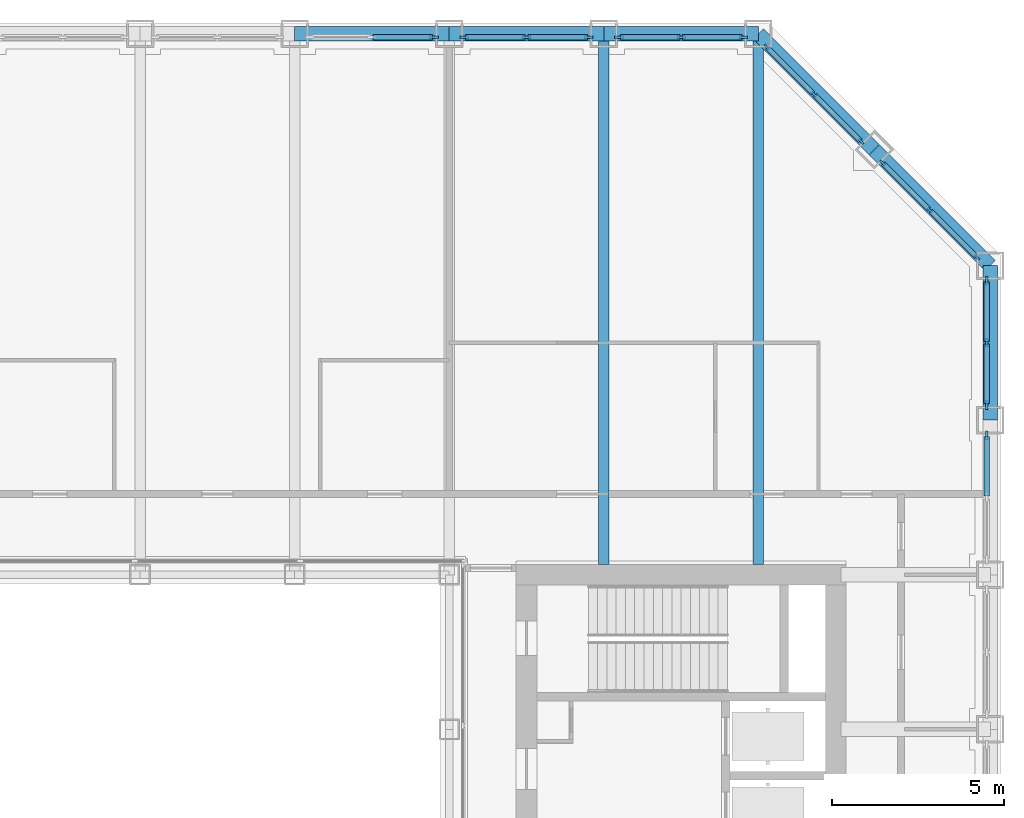
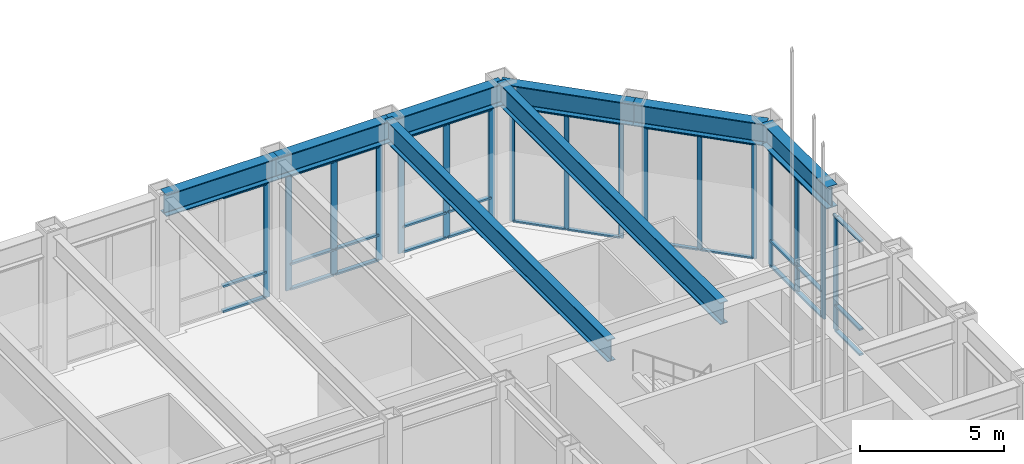
# One storey, part 9 of 22: 49 members, 8 beams, 7 elements without a shape of their own.
"""IFC4 building model written with IfcOpenShell, lengths in metres."""

from ifc_helpers import new_model, si_unit, direction, frame, origin, origin_2d, place, context, subcontext, project, spatial, rectangle, i_section, extrude, material, material_profile, profile_set, type_object, element, aggregate, save


model = new_model("IFC4")

# Units and contexts
model_context = context("Model", 3, precision=1e-05, world=origin(), true_north=direction((0.0, 1.0)))
body_context = subcontext(model_context, "Body", "Model", "MODEL_VIEW")
ifc_project = project(units=[si_unit("LENGTHUNIT", "METRE"), si_unit("AREAUNIT", "SQUARE_METRE"), si_unit("VOLUMEUNIT", "CUBIC_METRE"), si_unit("PLANEANGLEUNIT", "RADIAN"), si_unit("MASSUNIT", "GRAM", prefix="KILO")], contexts=[model_context])

# Site, building, storey
site_placement = place(None, origin())
site = spatial("IfcSite", under=ifc_project, at=site_placement, CompositionType="ELEMENT")
building_placement = place(site_placement, origin())
building = spatial("IfcBuilding", under=site, at=building_placement, Name="Msasa Ring Tower", CompositionType="ELEMENT")
storey_placement = place(building_placement, frame((0.0, 0.0, 112.39990234375)))
storey = spatial("IfcBuildingStorey", under=building, at=storey_placement, Name="L29", CompositionType="ELEMENT", Elevation=112.39990234375)

# Curtain wall, members
ifc_material_1 = material(Name="Aluminium curtain wall with clear glass", Category="aluminium")
curtain_wall_type_1 = type_object("IfcCurtainWallType", Name="CW-C CHAMFER CORNER CURTAIN WALL", PredefinedType="NOTDEFINED", material=ifc_material_1)
curtain_wall_1_placement = place(storey_placement, origin())
curtain_wall_1 = element("IfcCurtainWall", 1, at=curtain_wall_1_placement, inside=storey, type_object=curtain_wall_type_1, Name="Chamfer corner curtain wall NE L29", PredefinedType="NOTDEFINED")
ifc_material_2 = material(Name="Aluminium mullion", Category="aluminium")
ifc_material_profile_1 = material_profile(ifc_material_2, rectangle(XDim=0.06494140625, YDim=0.179931640625, at=origin_2d()), Name="AL 65x180")
ifc_profile_set_1 = profile_set([ifc_material_profile_1], Name="Aluminium mullion")
member_type_1 = type_object("IfcMemberType", Name="CW-C MULLION 65x180", PredefinedType="MULLION", material=ifc_profile_set_1)
member_1_placement = place(storey_placement, frame((18.744873046875, 19.36376953125, 0.0), z_axis=(0.0, 0.0, 1.0), x_axis=(-0.707106781187, -0.707106781187, 0.0)))
member_1 = element("IfcMember", 2, at=member_1_placement, type_object=member_type_1, Name="CW-C mullion 1", PredefinedType="MULLION", context=body_context, shape_type="SweptSolid", body=[
    extrude(rectangle(XDim=0.06494140625, YDim=0.179931640625, at=origin_2d()), origin(), (0.0, 0.0, 1.0), 4.879150390625),
])
member_2_placement = place(storey_placement, frame((17.36669921875, 20.74169921875, 0.0), z_axis=(0.0, 0.0, 1.0), x_axis=(-0.707106781187, -0.707106781187, 0.0)))
member_2 = element("IfcMember", 3, at=member_2_placement, type_object=member_type_1, Name="CW-C mullion 2", PredefinedType="MULLION", context=body_context, shape_type="SweptSolid", body=[
    extrude(rectangle(XDim=0.06494140625, YDim=0.179931640625, at=origin_2d()), origin(), (0.0, 0.0, 1.0), 4.879150390625),
])
member_3_placement = place(storey_placement, frame((15.98876953125, 22.119873046875, 0.0), z_axis=(0.0, 0.0, 1.0), x_axis=(-0.707106781187, -0.707106781187, 0.0)))
member_3 = element("IfcMember", 4, at=member_3_placement, type_object=member_type_1, Name="CW-C mullion 3", PredefinedType="MULLION", context=body_context, shape_type="SweptSolid", body=[
    extrude(rectangle(XDim=0.06494140625, YDim=0.179931640625, at=origin_2d()), origin(), (0.0, 0.0, 1.0), 4.879150390625),
])

curtain_wall_2_placement = place(storey_placement, origin())
curtain_wall_2 = element("IfcCurtainWall", 5, at=curtain_wall_2_placement, inside=storey, type_object=curtain_wall_type_1, Name="Chamfer corner curtain wall NE L29", PredefinedType="NOTDEFINED")
member_4_placement = place(storey_placement, frame((22.119873046875, 15.98876953125, 0.0), z_axis=(0.0, 0.0, 1.0), x_axis=(-0.707106781187, -0.707106781187, 0.0)))
member_4 = element("IfcMember", 6, at=member_4_placement, type_object=member_type_1, Name="CW-C mullion 1", PredefinedType="MULLION", context=body_context, shape_type="SweptSolid", body=[
    extrude(rectangle(XDim=0.06494140625, YDim=0.179931640625, at=origin_2d()), origin(), (0.0, 0.0, 1.0), 4.879150390625),
])
member_5_placement = place(storey_placement, frame((20.74169921875, 17.36669921875, 0.0), z_axis=(0.0, 0.0, 1.0), x_axis=(-0.707106781187, -0.707106781187, 0.0)))
member_5 = element("IfcMember", 7, at=member_5_placement, type_object=member_type_1, Name="CW-C mullion 2", PredefinedType="MULLION", context=body_context, shape_type="SweptSolid", body=[
    extrude(rectangle(XDim=0.06494140625, YDim=0.179931640625, at=origin_2d()), origin(), (0.0, 0.0, 1.0), 4.879150390625),
])
member_6_placement = place(storey_placement, frame((19.36376953125, 18.744873046875, 0.0), z_axis=(0.0, 0.0, 1.0), x_axis=(-0.707106781187, -0.707106781187, 0.0)))
member_6 = element("IfcMember", 8, at=member_6_placement, type_object=member_type_1, Name="CW-C mullion 3", PredefinedType="MULLION", context=body_context, shape_type="SweptSolid", body=[
    extrude(rectangle(XDim=0.06494140625, YDim=0.179931640625, at=origin_2d()), origin(), (0.0, 0.0, 1.0), 4.879150390625),
])

# Member
ifc_material_3 = material(Name="Aluminium transom", Category="aluminium")
ifc_material_profile_2 = material_profile(ifc_material_3, rectangle(XDim=0.139892578125, YDim=0.06494140625, at=origin_2d()), Name="AL 65x140")
ifc_profile_set_2 = profile_set([ifc_material_profile_2], Name="Aluminium transom")
member_type_2 = type_object("IfcMemberType", Name="CW-C TRANSOM 65x140", PredefinedType="USERDEFINED", material=ifc_profile_set_2)
member_7_placement = place(storey_placement, frame((18.721923828125, 19.38671875, 0.03271484375), z_axis=(-0.707106781187, 0.707106781187, 0.0), x_axis=(-0.707106781187, -0.707106781187, 0.0)))
member_7 = element("IfcMember", 9, at=member_7_placement, type_object=member_type_2, Name="CW-C transom 1.1", ObjectType="TRANSOM", PredefinedType="USERDEFINED", context=body_context, shape_type="SweptSolid", body=[
    extrude(rectangle(XDim=0.139892578125, YDim=0.06494140625, at=origin_2d()), origin(), (0.0, 0.0, 1.0), 1.8837890625),
])

member_8_placement = place(storey_placement, frame((18.721923828125, 19.38671875, 4.8466796875), z_axis=(-0.707106781187, 0.707106781187, 0.0), x_axis=(-0.707106781187, -0.707106781187, 0.0)))
member_8 = element("IfcMember", 10, at=member_8_placement, type_object=member_type_2, Name="CW-C transom 1.2", ObjectType="TRANSOM", PredefinedType="USERDEFINED", context=body_context, shape_type="SweptSolid", body=[
    extrude(rectangle(XDim=0.139892578125, YDim=0.06494140625, at=origin_2d()), origin(), (0.0, 0.0, 1.0), 1.8837890625),
])

member_9_placement = place(storey_placement, frame((17.34375, 20.764892578125, 0.03271484375), z_axis=(-0.707106781187, 0.707106781187, 0.0), x_axis=(-0.707106781187, -0.707106781187, 0.0)))
member_9 = element("IfcMember", 11, at=member_9_placement, type_object=member_type_2, Name="CW-C transom 2.1", ObjectType="TRANSOM", PredefinedType="USERDEFINED", context=body_context, shape_type="SweptSolid", body=[
    extrude(rectangle(XDim=0.139892578125, YDim=0.06494140625, at=origin_2d()), origin(), (0.0, 0.0, 1.0), 1.8837890625),
])

member_10_placement = place(storey_placement, frame((17.34375, 20.764892578125, 4.8466796875), z_axis=(-0.707106781187, 0.707106781187, 0.0), x_axis=(-0.707106781187, -0.707106781187, 0.0)))
member_10 = element("IfcMember", 12, at=member_10_placement, type_object=member_type_2, Name="CW-C transom 2.2", ObjectType="TRANSOM", PredefinedType="USERDEFINED", context=body_context, shape_type="SweptSolid", body=[
    extrude(rectangle(XDim=0.139892578125, YDim=0.06494140625, at=origin_2d()), origin(), (0.0, 0.0, 1.0), 1.8837890625),
])

aggregate(curtain_wall_1, [member_1, member_2, member_3, member_7, member_8, member_9, member_10])

member_11_placement = place(storey_placement, frame((22.096923828125, 16.01171875, 0.03271484375), z_axis=(-0.707106781187, 0.707106781187, 0.0), x_axis=(-0.707106781187, -0.707106781187, 0.0)))
member_11 = element("IfcMember", 13, at=member_11_placement, type_object=member_type_2, Name="CW-C transom 1.1", ObjectType="TRANSOM", PredefinedType="USERDEFINED", context=body_context, shape_type="SweptSolid", body=[
    extrude(rectangle(XDim=0.139892578125, YDim=0.06494140625, at=origin_2d()), origin(), (0.0, 0.0, 1.0), 1.8837890625),
])

member_12_placement = place(storey_placement, frame((22.096923828125, 16.01171875, 4.8466796875), z_axis=(-0.707106781187, 0.707106781187, 0.0), x_axis=(-0.707106781187, -0.707106781187, 0.0)))
member_12 = element("IfcMember", 14, at=member_12_placement, type_object=member_type_2, Name="CW-C transom 1.2", ObjectType="TRANSOM", PredefinedType="USERDEFINED", context=body_context, shape_type="SweptSolid", body=[
    extrude(rectangle(XDim=0.139892578125, YDim=0.06494140625, at=origin_2d()), origin(), (0.0, 0.0, 1.0), 1.8837890625),
])

member_13_placement = place(storey_placement, frame((20.71875, 17.389892578125, 0.03271484375), z_axis=(-0.707106781187, 0.707106781187, 0.0), x_axis=(-0.707106781187, -0.707106781187, 0.0)))
member_13 = element("IfcMember", 15, at=member_13_placement, type_object=member_type_2, Name="CW-C transom 2.1", ObjectType="TRANSOM", PredefinedType="USERDEFINED", context=body_context, shape_type="SweptSolid", body=[
    extrude(rectangle(XDim=0.139892578125, YDim=0.06494140625, at=origin_2d()), origin(), (0.0, 0.0, 1.0), 1.8837890625),
])

member_14_placement = place(storey_placement, frame((20.71875, 17.389892578125, 4.8466796875), z_axis=(-0.707106781187, 0.707106781187, 0.0), x_axis=(-0.707106781187, -0.707106781187, 0.0)))
member_14 = element("IfcMember", 16, at=member_14_placement, type_object=member_type_2, Name="CW-C transom 2.2", ObjectType="TRANSOM", PredefinedType="USERDEFINED", context=body_context, shape_type="SweptSolid", body=[
    extrude(rectangle(XDim=0.139892578125, YDim=0.06494140625, at=origin_2d()), origin(), (0.0, 0.0, 1.0), 1.8837890625),
])

aggregate(curtain_wall_2, [member_4, member_5, member_6, member_11, member_12, member_13, member_14])

# Curtain wall, member
ifc_material_4 = material(Name="Aluminium curtain wall with clear glass", Category="aluminium")
curtain_wall_type_2 = type_object("IfcCurtainWallType", Name="CW-S SKY LOBBY CURTAIN WALL", PredefinedType="NOTDEFINED", material=ifc_material_4)
curtain_wall_3_placement = place(storey_placement, origin())
curtain_wall_3 = element("IfcCurtainWall", 17, at=curtain_wall_3_placement, inside=storey, type_object=curtain_wall_type_2, Name="Sky lobby curtain wall E L29", PredefinedType="NOTDEFINED")
ifc_material_5 = material(Name="Aluminium mullion", Category="aluminium")
ifc_material_profile_3 = material_profile(ifc_material_5, rectangle(XDim=0.074951171875, YDim=0.25, at=origin_2d()), Name="AL 75x250")
ifc_profile_set_3 = profile_set([ifc_material_profile_3], Name="Aluminium mullion")
member_type_3 = type_object("IfcMemberType", Name="CW-S MULLION 75x250", PredefinedType="MULLION", material=ifc_profile_set_3)
member_15_placement = place(storey_placement, frame((22.39990234375, 10.8076171875, 0.0), z_axis=(0.0, 0.0, 1.0), x_axis=(-1.0, 0.0, 0.0)))
member_15 = element("IfcMember", 18, at=member_15_placement, type_object=member_type_3, Name="CW-S mullion 3", PredefinedType="MULLION", context=body_context, shape_type="SweptSolid", body=[
    extrude(rectangle(XDim=0.074951171875, YDim=0.25, at=origin_2d()), origin(), (0.0, 0.0, 1.0), 4.879150390625),
])

# Curtain wall, members
curtain_wall_4_placement = place(storey_placement, origin())
curtain_wall_4 = element("IfcCurtainWall", 19, at=curtain_wall_4_placement, inside=storey, type_object=curtain_wall_type_2, Name="Sky lobby curtain wall E L29", PredefinedType="NOTDEFINED")
member_16_placement = place(storey_placement, frame((22.39990234375, 11.6923828125, 0.0), z_axis=(0.0, 0.0, 1.0), x_axis=(-1.0, 0.0, 0.0)))
member_16 = element("IfcMember", 20, at=member_16_placement, type_object=member_type_3, Name="CW-S mullion 1", PredefinedType="MULLION", context=body_context, shape_type="SweptSolid", body=[
    extrude(rectangle(XDim=0.074951171875, YDim=0.25, at=origin_2d()), origin(), (0.0, 0.0, 1.0), 4.879150390625),
])
member_17_placement = place(storey_placement, frame((22.39990234375, 13.5, 0.0), z_axis=(0.0, 0.0, 1.0), x_axis=(-1.0, 0.0, 0.0)))
member_17 = element("IfcMember", 21, at=member_17_placement, type_object=member_type_3, Name="CW-S mullion 2", PredefinedType="MULLION", context=body_context, shape_type="SweptSolid", body=[
    extrude(rectangle(XDim=0.074951171875, YDim=0.25, at=origin_2d()), origin(), (0.0, 0.0, 1.0), 4.879150390625),
])
member_18_placement = place(storey_placement, frame((22.39990234375, 15.3076171875, 0.0), z_axis=(0.0, 0.0, 1.0), x_axis=(-1.0, 0.0, 0.0)))
member_18 = element("IfcMember", 22, at=member_18_placement, type_object=member_type_3, Name="CW-S mullion 3", PredefinedType="MULLION", context=body_context, shape_type="SweptSolid", body=[
    extrude(rectangle(XDim=0.074951171875, YDim=0.25, at=origin_2d()), origin(), (0.0, 0.0, 1.0), 4.879150390625),
])

# Curtain wall, member
curtain_wall_5_placement = place(storey_placement, origin())
curtain_wall_5 = element("IfcCurtainWall", 23, at=curtain_wall_5_placement, inside=storey, type_object=curtain_wall_type_2, Name="Sky lobby curtain wall N L29", PredefinedType="NOTDEFINED")
member_19_placement = place(storey_placement, frame((6.3076171875, 22.39990234375, 0.0), z_axis=(0.0, 0.0, 1.0), x_axis=(0.0, 1.0, 0.0)))
member_19 = element("IfcMember", 24, at=member_19_placement, type_object=member_type_3, Name="CW-S mullion 3", PredefinedType="MULLION", context=body_context, shape_type="SweptSolid", body=[
    extrude(rectangle(XDim=0.074951171875, YDim=0.25, at=origin_2d()), origin(), (0.0, 0.0, 1.0), 4.879150390625),
])

# Curtain wall, members
curtain_wall_6_placement = place(storey_placement, origin())
curtain_wall_6 = element("IfcCurtainWall", 25, at=curtain_wall_6_placement, inside=storey, type_object=curtain_wall_type_2, Name="Sky lobby curtain wall N L29", PredefinedType="NOTDEFINED")
member_20_placement = place(storey_placement, frame((7.1923828125, 22.39990234375, 0.0), z_axis=(0.0, 0.0, 1.0), x_axis=(0.0, 1.0, 0.0)))
member_20 = element("IfcMember", 26, at=member_20_placement, type_object=member_type_3, Name="CW-S mullion 1", PredefinedType="MULLION", context=body_context, shape_type="SweptSolid", body=[
    extrude(rectangle(XDim=0.074951171875, YDim=0.25, at=origin_2d()), origin(), (0.0, 0.0, 1.0), 4.879150390625),
])
member_21_placement = place(storey_placement, frame((9.0, 22.39990234375, 0.0), z_axis=(0.0, 0.0, 1.0), x_axis=(0.0, 1.0, 0.0)))
member_21 = element("IfcMember", 27, at=member_21_placement, type_object=member_type_3, Name="CW-S mullion 2", PredefinedType="MULLION", context=body_context, shape_type="SweptSolid", body=[
    extrude(rectangle(XDim=0.074951171875, YDim=0.25, at=origin_2d()), origin(), (0.0, 0.0, 1.0), 4.879150390625),
])
member_22_placement = place(storey_placement, frame((10.8076171875, 22.39990234375, 0.0), z_axis=(0.0, 0.0, 1.0), x_axis=(0.0, 1.0, 0.0)))
member_22 = element("IfcMember", 28, at=member_22_placement, type_object=member_type_3, Name="CW-S mullion 3", PredefinedType="MULLION", context=body_context, shape_type="SweptSolid", body=[
    extrude(rectangle(XDim=0.074951171875, YDim=0.25, at=origin_2d()), origin(), (0.0, 0.0, 1.0), 4.879150390625),
])

curtain_wall_7_placement = place(storey_placement, origin())
curtain_wall_7 = element("IfcCurtainWall", 29, at=curtain_wall_7_placement, inside=storey, type_object=curtain_wall_type_2, Name="Sky lobby curtain wall N L29", PredefinedType="NOTDEFINED")
member_23_placement = place(storey_placement, frame((11.6923828125, 22.39990234375, 0.0), z_axis=(0.0, 0.0, 1.0), x_axis=(0.0, 1.0, 0.0)))
member_23 = element("IfcMember", 30, at=member_23_placement, type_object=member_type_3, Name="CW-S mullion 1", PredefinedType="MULLION", context=body_context, shape_type="SweptSolid", body=[
    extrude(rectangle(XDim=0.074951171875, YDim=0.25, at=origin_2d()), origin(), (0.0, 0.0, 1.0), 4.879150390625),
])
member_24_placement = place(storey_placement, frame((13.5, 22.39990234375, 0.0), z_axis=(0.0, 0.0, 1.0), x_axis=(0.0, 1.0, 0.0)))
member_24 = element("IfcMember", 31, at=member_24_placement, type_object=member_type_3, Name="CW-S mullion 2", PredefinedType="MULLION", context=body_context, shape_type="SweptSolid", body=[
    extrude(rectangle(XDim=0.074951171875, YDim=0.25, at=origin_2d()), origin(), (0.0, 0.0, 1.0), 4.879150390625),
])
member_25_placement = place(storey_placement, frame((15.3076171875, 22.39990234375, 0.0), z_axis=(0.0, 0.0, 1.0), x_axis=(0.0, 1.0, 0.0)))
member_25 = element("IfcMember", 32, at=member_25_placement, type_object=member_type_3, Name="CW-S mullion 3", PredefinedType="MULLION", context=body_context, shape_type="SweptSolid", body=[
    extrude(rectangle(XDim=0.074951171875, YDim=0.25, at=origin_2d()), origin(), (0.0, 0.0, 1.0), 4.879150390625),
])

# Member
ifc_material_6 = material(Name="Aluminium transom", Category="aluminium")
ifc_material_profile_4 = material_profile(ifc_material_6, rectangle(XDim=0.159912109375, YDim=0.074951171875, at=origin_2d()), Name="AL 75x160")
ifc_profile_set_4 = profile_set([ifc_material_profile_4], Name="Aluminium transom")
member_type_4 = type_object("IfcMemberType", Name="CW-S TRANSOM 75x160", PredefinedType="USERDEFINED", material=ifc_profile_set_4)
member_26_placement = place(storey_placement, frame((22.39990234375, 9.03759765625, 0.03759765625), z_axis=(0.0, 1.0, 0.0), x_axis=(-1.0, 0.0, 0.0)))
member_26 = element("IfcMember", 33, at=member_26_placement, type_object=member_type_4, Name="CW-S transom 2.1", ObjectType="TRANSOM", PredefinedType="USERDEFINED", context=body_context, shape_type="SweptSolid", body=[
    extrude(rectangle(XDim=0.159912109375, YDim=0.074951171875, at=origin_2d()), origin(), (0.0, 0.0, 1.0), 1.732421875),
])

member_27_placement = place(storey_placement, frame((22.39990234375, 9.03759765625, 1.10009765625), z_axis=(0.0, 1.0, 0.0), x_axis=(-1.0, 0.0, 0.0)))
member_27 = element("IfcMember", 34, at=member_27_placement, type_object=member_type_4, Name="CW-S transom 2.2", ObjectType="TRANSOM", PredefinedType="USERDEFINED", context=body_context, shape_type="SweptSolid", body=[
    extrude(rectangle(XDim=0.159912109375, YDim=0.074951171875, at=origin_2d()), origin(), (0.0, 0.0, 1.0), 1.732421875),
])

member_28_placement = place(storey_placement, frame((22.39990234375, 9.03759765625, 4.841552734375), z_axis=(0.0, 1.0, 0.0), x_axis=(-1.0, 0.0, 0.0)))
member_28 = element("IfcMember", 35, at=member_28_placement, type_object=member_type_4, Name="CW-S transom 2.3", ObjectType="TRANSOM", PredefinedType="USERDEFINED", context=body_context, shape_type="SweptSolid", body=[
    extrude(rectangle(XDim=0.159912109375, YDim=0.074951171875, at=origin_2d()), origin(), (0.0, 0.0, 1.0), 1.732421875),
])

aggregate(curtain_wall_3, [member_15, member_26, member_27, member_28])

member_29_placement = place(storey_placement, frame((22.39990234375, 11.72998046875, 0.03759765625), z_axis=(0.0, 1.0, 0.0), x_axis=(-1.0, 0.0, 0.0)))
member_29 = element("IfcMember", 36, at=member_29_placement, type_object=member_type_4, Name="CW-S transom 1.1", ObjectType="TRANSOM", PredefinedType="USERDEFINED", context=body_context, shape_type="SweptSolid", body=[
    extrude(rectangle(XDim=0.159912109375, YDim=0.074951171875, at=origin_2d()), origin(), (0.0, 0.0, 1.0), 1.732421875),
])

member_30_placement = place(storey_placement, frame((22.39990234375, 11.72998046875, 1.10009765625), z_axis=(0.0, 1.0, 0.0), x_axis=(-1.0, 0.0, 0.0)))
member_30 = element("IfcMember", 37, at=member_30_placement, type_object=member_type_4, Name="CW-S transom 1.2", ObjectType="TRANSOM", PredefinedType="USERDEFINED", context=body_context, shape_type="SweptSolid", body=[
    extrude(rectangle(XDim=0.159912109375, YDim=0.074951171875, at=origin_2d()), origin(), (0.0, 0.0, 1.0), 1.732421875),
])

member_31_placement = place(storey_placement, frame((22.39990234375, 11.72998046875, 4.841552734375), z_axis=(0.0, 1.0, 0.0), x_axis=(-1.0, 0.0, 0.0)))
member_31 = element("IfcMember", 38, at=member_31_placement, type_object=member_type_4, Name="CW-S transom 1.3", ObjectType="TRANSOM", PredefinedType="USERDEFINED", context=body_context, shape_type="SweptSolid", body=[
    extrude(rectangle(XDim=0.159912109375, YDim=0.074951171875, at=origin_2d()), origin(), (0.0, 0.0, 1.0), 1.732421875),
])

member_32_placement = place(storey_placement, frame((22.39990234375, 13.53759765625, 0.03759765625), z_axis=(0.0, 1.0, 0.0), x_axis=(-1.0, 0.0, 0.0)))
member_32 = element("IfcMember", 39, at=member_32_placement, type_object=member_type_4, Name="CW-S transom 2.1", ObjectType="TRANSOM", PredefinedType="USERDEFINED", context=body_context, shape_type="SweptSolid", body=[
    extrude(rectangle(XDim=0.159912109375, YDim=0.074951171875, at=origin_2d()), origin(), (0.0, 0.0, 1.0), 1.732421875),
])

member_33_placement = place(storey_placement, frame((22.39990234375, 13.53759765625, 1.10009765625), z_axis=(0.0, 1.0, 0.0), x_axis=(-1.0, 0.0, 0.0)))
member_33 = element("IfcMember", 40, at=member_33_placement, type_object=member_type_4, Name="CW-S transom 2.2", ObjectType="TRANSOM", PredefinedType="USERDEFINED", context=body_context, shape_type="SweptSolid", body=[
    extrude(rectangle(XDim=0.159912109375, YDim=0.074951171875, at=origin_2d()), origin(), (0.0, 0.0, 1.0), 1.732421875),
])

member_34_placement = place(storey_placement, frame((22.39990234375, 13.53759765625, 4.841552734375), z_axis=(0.0, 1.0, 0.0), x_axis=(-1.0, 0.0, 0.0)))
member_34 = element("IfcMember", 41, at=member_34_placement, type_object=member_type_4, Name="CW-S transom 2.3", ObjectType="TRANSOM", PredefinedType="USERDEFINED", context=body_context, shape_type="SweptSolid", body=[
    extrude(rectangle(XDim=0.159912109375, YDim=0.074951171875, at=origin_2d()), origin(), (0.0, 0.0, 1.0), 1.732421875),
])

aggregate(curtain_wall_4, [member_16, member_17, member_18, member_29, member_30, member_31, member_32, member_33, member_34])

member_35_placement = place(storey_placement, frame((4.53759765625, 22.39990234375, 0.03759765625), z_axis=(1.0, 0.0, 0.0), x_axis=(0.0, 1.0, 0.0)))
member_35 = element("IfcMember", 42, at=member_35_placement, type_object=member_type_4, Name="CW-S transom 2.1", ObjectType="TRANSOM", PredefinedType="USERDEFINED", context=body_context, shape_type="SweptSolid", body=[
    extrude(rectangle(XDim=0.159912109375, YDim=0.074951171875, at=origin_2d()), origin(), (0.0, 0.0, 1.0), 1.732421875),
])

member_36_placement = place(storey_placement, frame((4.53759765625, 22.39990234375, 1.10009765625), z_axis=(1.0, 0.0, 0.0), x_axis=(0.0, 1.0, 0.0)))
member_36 = element("IfcMember", 43, at=member_36_placement, type_object=member_type_4, Name="CW-S transom 2.2", ObjectType="TRANSOM", PredefinedType="USERDEFINED", context=body_context, shape_type="SweptSolid", body=[
    extrude(rectangle(XDim=0.159912109375, YDim=0.074951171875, at=origin_2d()), origin(), (0.0, 0.0, 1.0), 1.732421875),
])

member_37_placement = place(storey_placement, frame((4.53759765625, 22.39990234375, 4.841552734375), z_axis=(1.0, 0.0, 0.0), x_axis=(0.0, 1.0, 0.0)))
member_37 = element("IfcMember", 44, at=member_37_placement, type_object=member_type_4, Name="CW-S transom 2.3", ObjectType="TRANSOM", PredefinedType="USERDEFINED", context=body_context, shape_type="SweptSolid", body=[
    extrude(rectangle(XDim=0.159912109375, YDim=0.074951171875, at=origin_2d()), origin(), (0.0, 0.0, 1.0), 1.732421875),
])

aggregate(curtain_wall_5, [member_19, member_35, member_36, member_37])

member_38_placement = place(storey_placement, frame((7.22998046875, 22.39990234375, 0.03759765625), z_axis=(1.0, 0.0, 0.0), x_axis=(0.0, 1.0, 0.0)))
member_38 = element("IfcMember", 45, at=member_38_placement, type_object=member_type_4, Name="CW-S transom 1.1", ObjectType="TRANSOM", PredefinedType="USERDEFINED", context=body_context, shape_type="SweptSolid", body=[
    extrude(rectangle(XDim=0.159912109375, YDim=0.074951171875, at=origin_2d()), origin(), (0.0, 0.0, 1.0), 1.732421875),
])

member_39_placement = place(storey_placement, frame((7.22998046875, 22.39990234375, 1.10009765625), z_axis=(1.0, 0.0, 0.0), x_axis=(0.0, 1.0, 0.0)))
member_39 = element("IfcMember", 46, at=member_39_placement, type_object=member_type_4, Name="CW-S transom 1.2", ObjectType="TRANSOM", PredefinedType="USERDEFINED", context=body_context, shape_type="SweptSolid", body=[
    extrude(rectangle(XDim=0.159912109375, YDim=0.074951171875, at=origin_2d()), origin(), (0.0, 0.0, 1.0), 1.732421875),
])

member_40_placement = place(storey_placement, frame((7.22998046875, 22.39990234375, 4.841552734375), z_axis=(1.0, 0.0, 0.0), x_axis=(0.0, 1.0, 0.0)))
member_40 = element("IfcMember", 47, at=member_40_placement, type_object=member_type_4, Name="CW-S transom 1.3", ObjectType="TRANSOM", PredefinedType="USERDEFINED", context=body_context, shape_type="SweptSolid", body=[
    extrude(rectangle(XDim=0.159912109375, YDim=0.074951171875, at=origin_2d()), origin(), (0.0, 0.0, 1.0), 1.732421875),
])

member_41_placement = place(storey_placement, frame((9.03759765625, 22.39990234375, 0.03759765625), z_axis=(1.0, 0.0, 0.0), x_axis=(0.0, 1.0, 0.0)))
member_41 = element("IfcMember", 48, at=member_41_placement, type_object=member_type_4, Name="CW-S transom 2.1", ObjectType="TRANSOM", PredefinedType="USERDEFINED", context=body_context, shape_type="SweptSolid", body=[
    extrude(rectangle(XDim=0.159912109375, YDim=0.074951171875, at=origin_2d()), origin(), (0.0, 0.0, 1.0), 1.732421875),
])

member_42_placement = place(storey_placement, frame((9.03759765625, 22.39990234375, 1.10009765625), z_axis=(1.0, 0.0, 0.0), x_axis=(0.0, 1.0, 0.0)))
member_42 = element("IfcMember", 49, at=member_42_placement, type_object=member_type_4, Name="CW-S transom 2.2", ObjectType="TRANSOM", PredefinedType="USERDEFINED", context=body_context, shape_type="SweptSolid", body=[
    extrude(rectangle(XDim=0.159912109375, YDim=0.074951171875, at=origin_2d()), origin(), (0.0, 0.0, 1.0), 1.732421875),
])

member_43_placement = place(storey_placement, frame((9.03759765625, 22.39990234375, 4.841552734375), z_axis=(1.0, 0.0, 0.0), x_axis=(0.0, 1.0, 0.0)))
member_43 = element("IfcMember", 50, at=member_43_placement, type_object=member_type_4, Name="CW-S transom 2.3", ObjectType="TRANSOM", PredefinedType="USERDEFINED", context=body_context, shape_type="SweptSolid", body=[
    extrude(rectangle(XDim=0.159912109375, YDim=0.074951171875, at=origin_2d()), origin(), (0.0, 0.0, 1.0), 1.732421875),
])

aggregate(curtain_wall_6, [member_20, member_21, member_22, member_38, member_39, member_40, member_41, member_42, member_43])

member_44_placement = place(storey_placement, frame((11.72998046875, 22.39990234375, 0.03759765625), z_axis=(1.0, 0.0, 0.0), x_axis=(0.0, 1.0, 0.0)))
member_44 = element("IfcMember", 51, at=member_44_placement, type_object=member_type_4, Name="CW-S transom 1.1", ObjectType="TRANSOM", PredefinedType="USERDEFINED", context=body_context, shape_type="SweptSolid", body=[
    extrude(rectangle(XDim=0.159912109375, YDim=0.074951171875, at=origin_2d()), origin(), (0.0, 0.0, 1.0), 1.732421875),
])

member_45_placement = place(storey_placement, frame((11.72998046875, 22.39990234375, 1.10009765625), z_axis=(1.0, 0.0, 0.0), x_axis=(0.0, 1.0, 0.0)))
member_45 = element("IfcMember", 52, at=member_45_placement, type_object=member_type_4, Name="CW-S transom 1.2", ObjectType="TRANSOM", PredefinedType="USERDEFINED", context=body_context, shape_type="SweptSolid", body=[
    extrude(rectangle(XDim=0.159912109375, YDim=0.074951171875, at=origin_2d()), origin(), (0.0, 0.0, 1.0), 1.732421875),
])

member_46_placement = place(storey_placement, frame((11.72998046875, 22.39990234375, 4.841552734375), z_axis=(1.0, 0.0, 0.0), x_axis=(0.0, 1.0, 0.0)))
member_46 = element("IfcMember", 53, at=member_46_placement, type_object=member_type_4, Name="CW-S transom 1.3", ObjectType="TRANSOM", PredefinedType="USERDEFINED", context=body_context, shape_type="SweptSolid", body=[
    extrude(rectangle(XDim=0.159912109375, YDim=0.074951171875, at=origin_2d()), origin(), (0.0, 0.0, 1.0), 1.732421875),
])

member_47_placement = place(storey_placement, frame((13.53759765625, 22.39990234375, 0.03759765625), z_axis=(1.0, 0.0, 0.0), x_axis=(0.0, 1.0, 0.0)))
member_47 = element("IfcMember", 54, at=member_47_placement, type_object=member_type_4, Name="CW-S transom 2.1", ObjectType="TRANSOM", PredefinedType="USERDEFINED", context=body_context, shape_type="SweptSolid", body=[
    extrude(rectangle(XDim=0.159912109375, YDim=0.074951171875, at=origin_2d()), origin(), (0.0, 0.0, 1.0), 1.732421875),
])

member_48_placement = place(storey_placement, frame((13.53759765625, 22.39990234375, 1.10009765625), z_axis=(1.0, 0.0, 0.0), x_axis=(0.0, 1.0, 0.0)))
member_48 = element("IfcMember", 55, at=member_48_placement, type_object=member_type_4, Name="CW-S transom 2.2", ObjectType="TRANSOM", PredefinedType="USERDEFINED", context=body_context, shape_type="SweptSolid", body=[
    extrude(rectangle(XDim=0.159912109375, YDim=0.074951171875, at=origin_2d()), origin(), (0.0, 0.0, 1.0), 1.732421875),
])

member_49_placement = place(storey_placement, frame((13.53759765625, 22.39990234375, 4.841552734375), z_axis=(1.0, 0.0, 0.0), x_axis=(0.0, 1.0, 0.0)))
member_49 = element("IfcMember", 56, at=member_49_placement, type_object=member_type_4, Name="CW-S transom 2.3", ObjectType="TRANSOM", PredefinedType="USERDEFINED", context=body_context, shape_type="SweptSolid", body=[
    extrude(rectangle(XDim=0.159912109375, YDim=0.074951171875, at=origin_2d()), origin(), (0.0, 0.0, 1.0), 1.732421875),
])

aggregate(curtain_wall_7, [member_23, member_24, member_25, member_44, member_45, member_46, member_47, member_48, member_49])

# Beams
ifc_material_7 = material(Name="Steel S355", Category="steel")
ifc_material_profile_5 = material_profile(ifc_material_7, i_section(OverallWidth=0.3076171875, OverallDepth=0.926513671875, WebThickness=0.01953125, FlangeThickness=0.031982421875, FilletRadius=0.01904296875, at=origin_2d()), Name="UB 914x305x289")
ifc_profile_set_5 = profile_set([ifc_material_profile_5], Name="Steel S355")
beam_type_1 = type_object("IfcBeamType", Name="FB3 UB 914x305x289", PredefinedType="BEAM", material=ifc_profile_set_5)
for number, where, z_axis, x_axis, name in (
    (57, (11.25, 22.5, 5.3369140625), (0.0, -1.0, 0.0), (1.0, 0.0, 0.0), "Floor beam N+11.25 under L30"),
    (58, (15.75, 22.5, 5.3369140625), (0.0, -1.0, 0.0), (1.0, 0.0, 0.0), "Floor beam N+15.75 under L30"),
):
    element("IfcBeam", number, at=place(storey_placement, frame(where, z_axis=z_axis, x_axis=x_axis)), inside=storey, type_object=beam_type_1, Name=name, PredefinedType="BEAM", context=body_context, shape_type="SweptSolid", body=[
        extrude(i_section(OverallWidth=0.3076171875, OverallDepth=0.926513671875, WebThickness=0.01953125, FlangeThickness=0.031982421875, FilletRadius=0.01904296875, at=origin_2d()), origin(), (0.0, 0.0, 1.0), 15.449951171875),
    ])
ifc_material_8 = material(Name="Steel S355", Category="steel")
ifc_material_profile_6 = material_profile(ifc_material_8, i_section(OverallWidth=0.42041015625, OverallDepth=0.9208984375, WebThickness=0.021484375, FlangeThickness=0.03662109375, FilletRadius=0.024169921875, at=origin_2d()), Name="UB 914x419x388")
ifc_profile_set_6 = profile_set([ifc_material_profile_6], Name="Steel S355")
beam_type_2 = type_object("IfcBeamType", Name="SB1 UB 914x419x388", PredefinedType="SPANDREL", material=ifc_profile_set_6)
beam_placement = place(storey_placement, frame((22.5, 11.25, 5.339599609375), z_axis=(0.0, 1.0, 0.0), x_axis=(-1.0, 0.0, 0.0)))
element("IfcBeam", 59, at=beam_placement, inside=storey, type_object=beam_type_2, Name="Spandrel E+11.25 to E+15.75 under L30", PredefinedType="SPANDREL", context=body_context, shape_type="SweptSolid", body=[
    extrude(i_section(OverallWidth=0.42041015625, OverallDepth=0.9208984375, WebThickness=0.021484375, FlangeThickness=0.03662109375, FilletRadius=0.024169921875, at=origin_2d()), origin(), (0.0, 0.0, 1.0), 4.5),
])
for number, where, z_axis, x_axis, name in (
    (60, (22.5, 15.75, 5.339599609375), (-0.707106781187, 0.707106781187, 0.0), (-0.707106781187, -0.707106781187, 0.0), "Spandrel E+15.75 to NE under L30"),
    (61, (19.125, 19.125, 5.339599609375), (-0.707106781187, 0.707106781187, 0.0), (-0.707106781187, -0.707106781187, 0.0), "Spandrel NE to N+15.75 under L30"),
):
    element("IfcBeam", number, at=place(storey_placement, frame(where, z_axis=z_axis, x_axis=x_axis)), inside=storey, type_object=beam_type_2, Name=name, PredefinedType="SPANDREL", context=body_context, shape_type="SweptSolid", body=[
        extrude(i_section(OverallWidth=0.42041015625, OverallDepth=0.9208984375, WebThickness=0.021484375, FlangeThickness=0.03662109375, FilletRadius=0.024169921875, at=origin_2d()), origin(), (0.0, 0.0, 1.0), 4.77294921875),
    ])
for number, where, z_axis, x_axis, name in (
    (62, (15.75, 22.5, 5.339599609375), (-1.0, 0.0, 0.0), (0.0, -1.0, 0.0), "Spandrel N+15.75 to N+11.25 under L30"),
    (63, (11.25, 22.5, 5.339599609375), (-1.0, 0.0, 0.0), (0.0, -1.0, 0.0), "Spandrel N+11.25 to N+6.75 under L30"),
    (64, (6.75, 22.5, 5.339599609375), (-1.0, 0.0, 0.0), (0.0, -1.0, 0.0), "Spandrel N+6.75 to N+2.25 under L30"),
):
    element("IfcBeam", number, at=place(storey_placement, frame(where, z_axis=z_axis, x_axis=x_axis)), inside=storey, type_object=beam_type_2, Name=name, PredefinedType="SPANDREL", context=body_context, shape_type="SweptSolid", body=[
        extrude(i_section(OverallWidth=0.42041015625, OverallDepth=0.9208984375, WebThickness=0.021484375, FlangeThickness=0.03662109375, FilletRadius=0.024169921875, at=origin_2d()), origin(), (0.0, 0.0, 1.0), 4.5),
    ])

save(model, "model.ifc")
